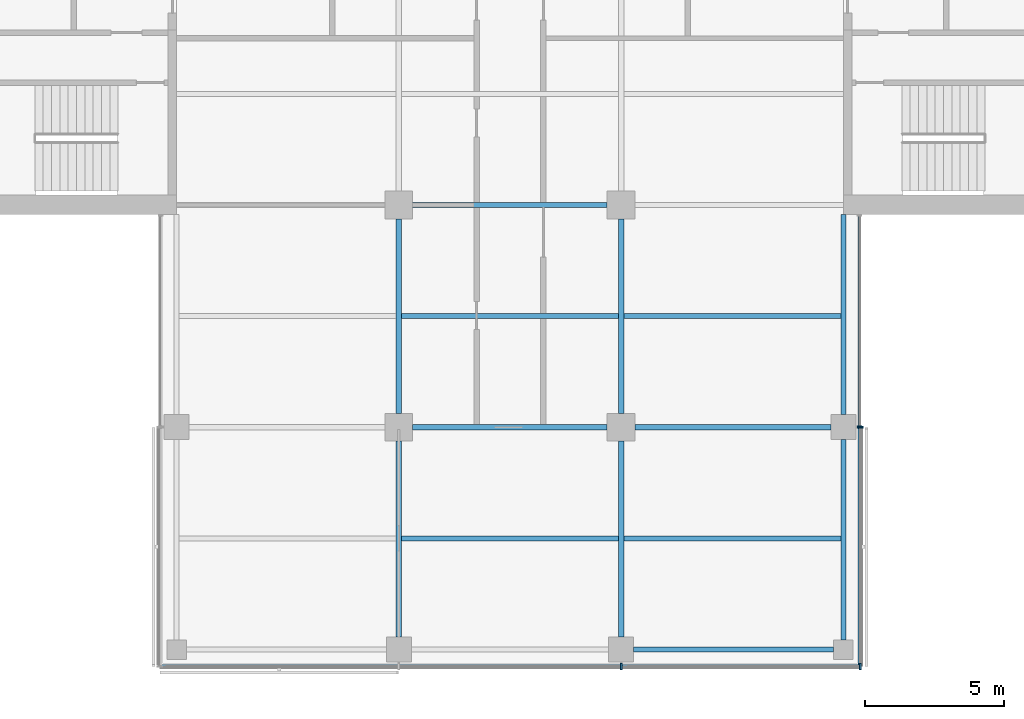
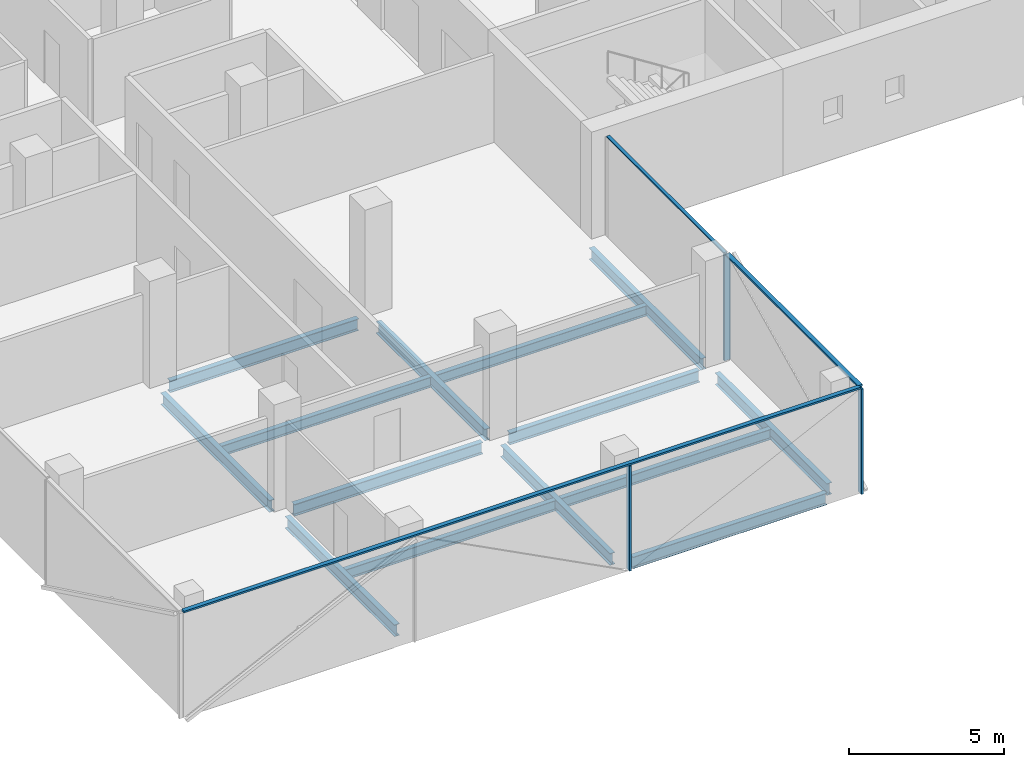
# One storey, part 5 of 22: 14 beams, 7 members, 3 elements without a shape of their own.
"""IFC4 building model written with IfcOpenShell, lengths in metres."""

from ifc_helpers import new_model, si_unit, direction, frame, origin, origin_2d, place, context, subcontext, project, spatial, rectangle, i_section, extrude, material, material_profile, profile_set, type_object, element, aggregate, save


model = new_model("IFC4")

# Units and contexts
model_context = context("Model", 3, precision=1e-05, world=origin(), true_north=direction((0.0, 1.0)))
body_context = subcontext(model_context, "Body", "Model", "MODEL_VIEW")
ifc_project = project(units=[si_unit("LENGTHUNIT", "METRE"), si_unit("AREAUNIT", "SQUARE_METRE"), si_unit("VOLUMEUNIT", "CUBIC_METRE"), si_unit("PLANEANGLEUNIT", "RADIAN"), si_unit("MASSUNIT", "GRAM", prefix="KILO")], contexts=[model_context])

# Site, building, storey
site_placement = place(None, origin())
site = spatial("IfcSite", under=ifc_project, at=site_placement, CompositionType="ELEMENT")
building_placement = place(site_placement, origin())
building = spatial("IfcBuilding", under=site, at=building_placement, Name="Crosswind Convention Tower", CompositionType="ELEMENT")
storey_placement = place(building_placement, frame((0.0, 0.0, 163.10009765625)))
storey = spatial("IfcBuildingStorey", under=building, at=storey_placement, Name="L34", CompositionType="ELEMENT", Elevation=163.10009765625)

# Beams
ifc_material_1 = material(Name="Steel S355", Category="steel")
ifc_material_profile_1 = material_profile(ifc_material_1, i_section(OverallWidth=0.18994140625, OverallDepth=0.45361328125, WebThickness=0.008544921875, FlangeThickness=0.0126953125, FilletRadius=0.01025390625, at=origin_2d()), Name="UB 457x191x67")
ifc_profile_set_1 = profile_set([ifc_material_profile_1], Name="Steel S355")
beam_type_1 = type_object("IfcBeamType", Name="Edge beam UB 457x191x67", PredefinedType="SPANDREL", material=ifc_profile_set_1)
for number, where, z_axis, x_axis, name in (
    (1, (129.449951171875, 72.0, -0.52685546875), (1.0, 0.0, 0.0), (0.0, 1.0, 0.0), "B16 L34 edge beam 14"),
    (2, (137.0, 72.35009765625, -0.52685546875), (0.0, 1.0, 0.0), (-1.0, 0.0, 0.0), "B16 L34 edge beam 16"),
    (3, (137.0, 80.449951171875, -0.52685546875), (0.0, 1.0, 0.0), (-1.0, 0.0, 0.0), "B16 L34 edge beam 17"),
):
    element("IfcBeam", number, at=place(storey_placement, frame(where, z_axis=z_axis, x_axis=x_axis)), inside=storey, type_object=beam_type_1, Name=name, PredefinedType="SPANDREL", context=body_context, shape_type="SweptSolid", body=[
        extrude(i_section(OverallWidth=0.18994140625, OverallDepth=0.45361328125, WebThickness=0.008544921875, FlangeThickness=0.0126953125, FilletRadius=0.01025390625, at=origin_2d()), origin(), (0.0, 0.0, 1.0), 7.199951171875),
    ])
ifc_material_profile_2 = material_profile(ifc_material_1, i_section(OverallWidth=0.19140625, OverallDepth=0.460205078125, WebThickness=0.010009765625, FlangeThickness=0.01611328125, FilletRadius=0.01025390625, at=origin_2d()), Name="UB 457x191x82")
ifc_profile_set_2 = profile_set([ifc_material_profile_2], Name="Steel S355")
beam_type_2 = type_object("IfcBeamType", Name="Girder UB 457x191x82", PredefinedType="BEAM", material=ifc_profile_set_2)
beam_1_placement = place(storey_placement, frame((121.0, 72.449951171875, -0.5302734375), z_axis=(0.0, 1.0, 0.0), x_axis=(-1.0, 0.0, 0.0)))
element("IfcBeam", 4, at=beam_1_placement, inside=storey, type_object=beam_type_2, Name="B3 L34 girder 3", PredefinedType="BEAM", context=body_context, shape_type="SweptSolid", body=[
    extrude(i_section(OverallWidth=0.19140625, OverallDepth=0.460205078125, WebThickness=0.010009765625, FlangeThickness=0.01611328125, FilletRadius=0.01025390625, at=origin_2d()), origin(), (0.0, 0.0, 1.0), 7.050048828125),
])
for number, where, z_axis, x_axis, name in (
    (5, (121.0, 80.5, -0.5302734375), (0.0, 1.0, 0.0), (-1.0, 0.0, 0.0), "B3 L34 girder 4"),
    (6, (121.5, 80.0, -0.5302734375), (1.0, 0.0, 0.0), (0.0, 1.0, 0.0), "B3 L34 girder 10"),
    (7, (121.5, 88.0, -0.5302734375), (1.0, 0.0, 0.0), (0.0, 1.0, 0.0), "B3 L34 girder 11"),
):
    element("IfcBeam", number, at=place(storey_placement, frame(where, z_axis=z_axis, x_axis=x_axis)), inside=storey, type_object=beam_type_2, Name=name, PredefinedType="BEAM", context=body_context, shape_type="SweptSolid", body=[
        extrude(i_section(OverallWidth=0.19140625, OverallDepth=0.460205078125, WebThickness=0.010009765625, FlangeThickness=0.01611328125, FilletRadius=0.01025390625, at=origin_2d()), origin(), (0.0, 0.0, 1.0), 7.0),
    ])
beam_2_placement = place(storey_placement, frame((129.0, 72.449951171875, -0.5302734375), z_axis=(0.0, 1.0, 0.0), x_axis=(-1.0, 0.0, 0.0)))
element("IfcBeam", 8, at=beam_2_placement, inside=storey, type_object=beam_type_2, Name="B3 L34 girder 16", PredefinedType="BEAM", context=body_context, shape_type="SweptSolid", body=[
    extrude(i_section(OverallWidth=0.19140625, OverallDepth=0.460205078125, WebThickness=0.010009765625, FlangeThickness=0.01611328125, FilletRadius=0.01025390625, at=origin_2d()), origin(), (0.0, 0.0, 1.0), 7.050048828125),
])
beam_3_placement = place(storey_placement, frame((129.0, 80.5, -0.5302734375), z_axis=(0.0, 1.0, 0.0), x_axis=(-1.0, 0.0, 0.0)))
element("IfcBeam", 9, at=beam_3_placement, inside=storey, type_object=beam_type_2, Name="B3 L34 girder 17", PredefinedType="BEAM", context=body_context, shape_type="SweptSolid", body=[
    extrude(i_section(OverallWidth=0.19140625, OverallDepth=0.460205078125, WebThickness=0.010009765625, FlangeThickness=0.01611328125, FilletRadius=0.01025390625, at=origin_2d()), origin(), (0.0, 0.0, 1.0), 7.0),
])
beam_4_placement = place(storey_placement, frame((129.5, 80.0, -0.5302734375), z_axis=(1.0, 0.0, 0.0), x_axis=(0.0, 1.0, 0.0)))
element("IfcBeam", 10, at=beam_4_placement, inside=storey, type_object=beam_type_2, Name="B3 L34 girder 23", PredefinedType="BEAM", context=body_context, shape_type="SweptSolid", body=[
    extrude(i_section(OverallWidth=0.19140625, OverallDepth=0.460205078125, WebThickness=0.010009765625, FlangeThickness=0.01611328125, FilletRadius=0.01025390625, at=origin_2d()), origin(), (0.0, 0.0, 1.0), 7.050048828125),
])

# Curtain wall, member
ifc_material_2 = material(Name="Aluminium unitised curtain wall", Category="aluminium")
curtain_wall_type_1 = type_object("IfcCurtainWallType", Name="CORE END SLOT WALL 160", PredefinedType="USERDEFINED", material=ifc_material_2)
curtain_wall_1_placement = place(storey_placement, origin())
curtain_wall_1 = element("IfcCurtainWall", 11, at=curtain_wall_1_placement, inside=storey, type_object=curtain_wall_type_1, Name="CW6 L34 S-E.1-2 slot", ObjectType="UNITISED", PredefinedType="USERDEFINED")
ifc_material_3 = material(Name="Aluminium mullion", Category="aluminium")
ifc_material_profile_3 = material_profile(ifc_material_3, rectangle(XDim=0.159912109375, YDim=0.050048828125, at=origin_2d()), Name="AL 160X50")
ifc_profile_set_3 = profile_set([ifc_material_profile_3], Name="Aluminium mullion")
member_type_1 = type_object("IfcMemberType", Name="MULLION 50X160", PredefinedType="MULLION", material=ifc_profile_set_3)
member_1_placement = place(storey_placement, frame((137.580078125, 80.02490234375, -0.300048828125), z_axis=(0.0, 0.0, 1.0), x_axis=(1.0, 0.0, 0.0)))
member_1 = element("IfcMember", 12, at=member_1_placement, type_object=member_type_1, Name="CW6 mullion 1", PredefinedType="MULLION", context=body_context, shape_type="SweptSolid", body=[
    extrude(rectangle(XDim=0.159912109375, YDim=0.050048828125, at=origin_2d()), origin(), (0.0, 0.0, 1.0), 4.14990234375),
])

# Curtain wall, members
curtain_wall_type_2 = type_object("IfcCurtainWallType", Name="OFFICE UNITISED WALL 220", PredefinedType="USERDEFINED", material=ifc_material_2)
curtain_wall_2_placement = place(storey_placement, origin())
curtain_wall_2 = element("IfcCurtainWall", 13, at=curtain_wall_2_placement, inside=storey, type_object=curtain_wall_type_2, Name="CW3 L34 S-TIP 1", ObjectType="UNITISED", PredefinedType="USERDEFINED")
ifc_material_profile_4 = material_profile(ifc_material_3, rectangle(XDim=0.219970703125, YDim=0.070068359375, at=origin_2d()), Name="AL 220X70")
ifc_profile_set_4 = profile_set([ifc_material_profile_4], Name="Aluminium mullion")
member_type_2 = type_object("IfcMemberType", Name="MULLION 70X220", PredefinedType="MULLION", material=ifc_profile_set_4)
member_2_placement = place(storey_placement, frame((129.0, 71.389892578125, -0.300048828125), z_axis=(0.0, 0.0, 1.0), x_axis=(0.0, -1.0, 0.0)))
member_2 = element("IfcMember", 14, at=member_2_placement, type_object=member_type_2, Name="CW3 mullion 3", PredefinedType="MULLION", context=body_context, shape_type="SweptSolid", body=[
    extrude(rectangle(XDim=0.219970703125, YDim=0.070068359375, at=origin_2d()), origin(), (0.0, 0.0, 1.0), 4.1298828125),
])
member_3_placement = place(storey_placement, frame((137.610107421875, 71.389892578125, -0.300048828125), z_axis=(0.0, 0.0, 1.0), x_axis=(0.0, -1.0, 0.0)))
member_3 = element("IfcMember", 15, at=member_3_placement, type_object=member_type_2, Name="CW3 mullion 4", PredefinedType="MULLION", context=body_context, shape_type="SweptSolid", body=[
    extrude(rectangle(XDim=0.219970703125, YDim=0.070068359375, at=origin_2d()), origin(), (0.0, 0.0, 1.0), 4.1298828125),
])

# Curtain wall, member
curtain_wall_3_placement = place(storey_placement, origin())
curtain_wall_3 = element("IfcCurtainWall", 16, at=curtain_wall_3_placement, inside=storey, type_object=curtain_wall_type_2, Name="CW3 L34 S-E 1", ObjectType="UNITISED", PredefinedType="USERDEFINED")
member_4_placement = place(storey_placement, frame((137.610107421875, 80.0, -0.300048828125), z_axis=(0.0, 0.0, 1.0), x_axis=(1.0, 0.0, 0.0)))
member_4 = element("IfcMember", 17, at=member_4_placement, type_object=member_type_2, Name="CW3 mullion 2", PredefinedType="MULLION", context=body_context, shape_type="SweptSolid", body=[
    extrude(rectangle(XDim=0.219970703125, YDim=0.070068359375, at=origin_2d()), origin(), (0.0, 0.0, 1.0), 4.1298828125),
])

# Beams
ifc_material_profile_5 = material_profile(ifc_material_1, i_section(OverallWidth=0.177734375, OverallDepth=0.406494140625, WebThickness=0.0078125, FlangeThickness=0.0126953125, FilletRadius=0.01025390625, at=origin_2d()), Name="UB 406x178x60")
ifc_profile_set_5 = profile_set([ifc_material_profile_5], Name="Steel S355")
beam_type_3 = type_object("IfcBeamType", Name="Secondary beam UB 406x178x60", PredefinedType="JOIST", material=ifc_profile_set_5)
for number, where, z_axis, x_axis, name in (
    (18, (121.095703125, 76.0, -0.50341796875), (1.0, 0.0, 0.0), (0.0, 1.0, 0.0), "B10 L34 secondary beam 11"),
    (19, (121.095703125, 84.0, -0.50341796875), (1.0, 0.0, 0.0), (0.0, 1.0, 0.0), "B10 L34 secondary beam 12"),
):
    element("IfcBeam", number, at=place(storey_placement, frame(where, z_axis=z_axis, x_axis=x_axis)), inside=storey, type_object=beam_type_3, Name=name, PredefinedType="JOIST", context=body_context, shape_type="SweptSolid", body=[
        extrude(i_section(OverallWidth=0.177734375, OverallDepth=0.406494140625, WebThickness=0.0078125, FlangeThickness=0.0126953125, FilletRadius=0.01025390625, at=origin_2d()), origin(), (0.0, 0.0, 1.0), 7.80859375),
    ])
for number, where, z_axis, x_axis, name in (
    (20, (129.095703125, 76.0, -0.50341796875), (1.0, 0.0, 0.0), (0.0, 1.0, 0.0), "B10 L34 secondary beam 18"),
    (21, (129.095703125, 84.0, -0.50341796875), (1.0, 0.0, 0.0), (0.0, 1.0, 0.0), "B10 L34 secondary beam 19"),
):
    element("IfcBeam", number, at=place(storey_placement, frame(where, z_axis=z_axis, x_axis=x_axis)), inside=storey, type_object=beam_type_3, Name=name, PredefinedType="JOIST", context=body_context, shape_type="SweptSolid", body=[
        extrude(i_section(OverallWidth=0.177734375, OverallDepth=0.406494140625, WebThickness=0.0078125, FlangeThickness=0.0126953125, FilletRadius=0.01025390625, at=origin_2d()), origin(), (0.0, 0.0, 1.0), 7.809326171875),
    ])

# Member
ifc_material_4 = material(Name="Aluminium transom", Category="aluminium")
ifc_material_profile_6 = material_profile(ifc_material_4, rectangle(XDim=0.1201171875, YDim=0.050048828125, at=origin_2d()), Name="AL 120X50")
ifc_profile_set_6 = profile_set([ifc_material_profile_6], Name="Aluminium transom")
member_type_3 = type_object("IfcMemberType", Name="TRANSOM 50X120", PredefinedType="USERDEFINED", material=ifc_profile_set_6)
member_5_placement = place(storey_placement, frame((137.580078125, 80.050048828125, 3.875), z_axis=(0.0, 1.0, 0.0), x_axis=(-1.0, 0.0, 0.0)))
member_5 = element("IfcMember", 22, at=member_5_placement, type_object=member_type_3, Name="CW6 transom", ObjectType="TRANSOM", PredefinedType="USERDEFINED", context=body_context, shape_type="SweptSolid", body=[
    extrude(rectangle(XDim=0.1201171875, YDim=0.050048828125, at=origin_2d()), origin(), (0.0, 0.0, 1.0), 7.550048828125),
])

aggregate(curtain_wall_1, [member_1, member_5])

ifc_material_profile_7 = material_profile(ifc_material_4, rectangle(XDim=0.159912109375, YDim=0.070068359375, at=origin_2d()), Name="AL 160X70")
ifc_profile_set_7 = profile_set([ifc_material_profile_7], Name="Aluminium transom")
member_type_4 = type_object("IfcMemberType", Name="TRANSOM 70X160", PredefinedType="USERDEFINED", material=ifc_profile_set_7)
member_6_placement = place(storey_placement, frame((112.425048828125, 71.389892578125, 3.864990234375), z_axis=(1.0, 0.0, 0.0), x_axis=(0.0, 1.0, 0.0)))
member_6 = element("IfcMember", 23, at=member_6_placement, type_object=member_type_4, Name="CW3 transom", ObjectType="TRANSOM", PredefinedType="USERDEFINED", context=body_context, shape_type="SweptSolid", body=[
    extrude(rectangle(XDim=0.159912109375, YDim=0.070068359375, at=origin_2d()), origin(), (0.0, 0.0, 1.0), 25.14990234375),
])

aggregate(curtain_wall_2, [member_2, member_3, member_6])

member_7_placement = place(storey_placement, frame((137.610107421875, 71.425048828125, 3.864990234375), z_axis=(0.0, 1.0, 0.0), x_axis=(-1.0, 0.0, 0.0)))
member_7 = element("IfcMember", 24, at=member_7_placement, type_object=member_type_4, Name="CW3 transom", ObjectType="TRANSOM", PredefinedType="USERDEFINED", context=body_context, shape_type="SweptSolid", body=[
    extrude(rectangle(XDim=0.159912109375, YDim=0.070068359375, at=origin_2d()), origin(), (0.0, 0.0, 1.0), 8.5400390625),
])

aggregate(curtain_wall_3, [member_4, member_7])

save(model, "model.ifc")
